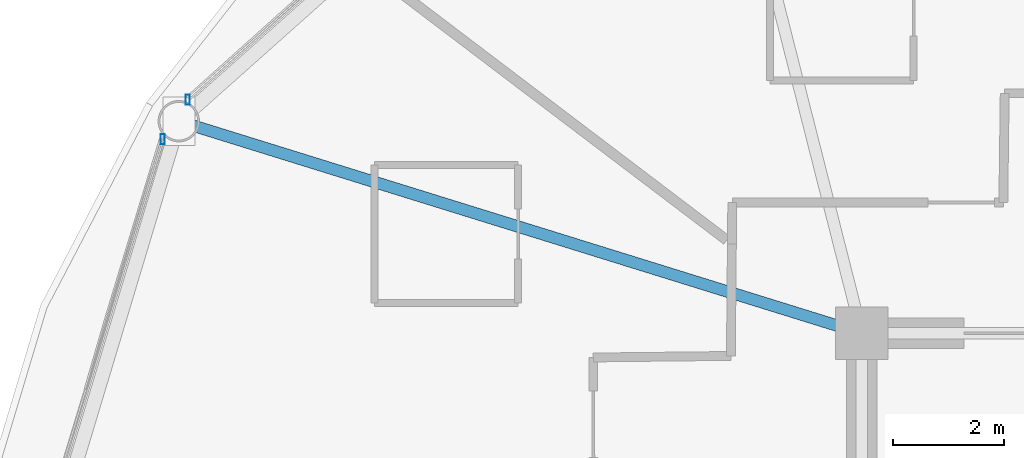
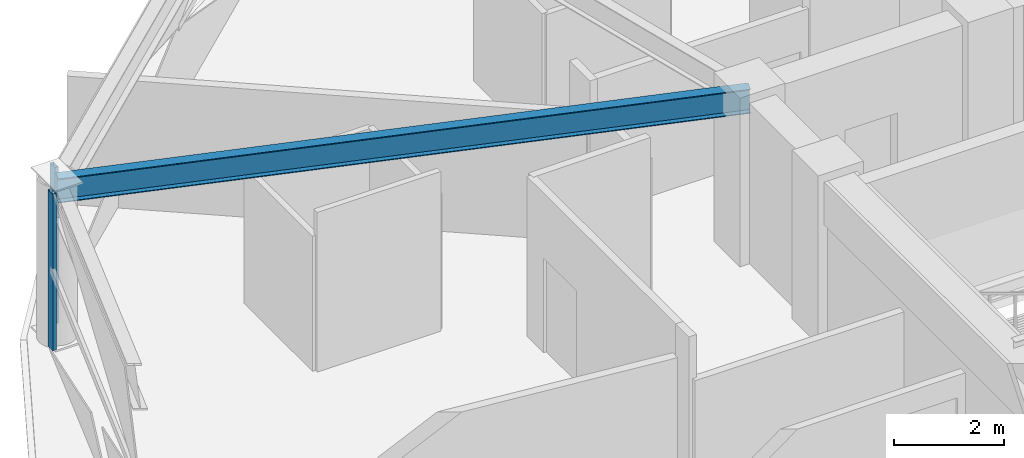
# One storey, part 14 of 31: 2 members, 1 beam, 2 elements without a shape of their own.
"""IFC4 building model written with IfcOpenShell, lengths in metres."""

import ifcopenshell
import ifcopenshell.guid

model = None  # the IFC model being written
_history = None  # IfcOwnerHistory: only IFC2X3 demands one
_inside = {}  # id of a spatial element -> (the spatial element, [elements in it])
_under = {}  # id of a project, library or spatial element -> (it, [spatial elements below it])
_declared = {}  # id of a project -> (the project, [libraries it declares])
_typed = {}  # id of a type object -> (the type object, [elements of that type])
_made_of = {}  # id of a material, layer set ... -> (it, [elements and type objects made of it])


def new_model(schema):
    """Start an empty IFC model of exactly this schema.

    Asked for "IFC4X3", IfcOpenShell would pick the latest addendum, in which some entities
    have other attributes; the version numbers below select the first issue.
    IFC2X3 requires an IfcOwnerHistory on every rooted entity: one is made here for all.
    """
    global model, _history
    if schema == "IFC4X3":
        model = ifcopenshell.file(schema_version=(4, 3, 0, 0))
    else:
        model = ifcopenshell.file(schema=schema)
    _inside.clear()
    _under.clear()
    _declared.clear()
    _typed.clear()
    _made_of.clear()
    _history = None
    if model.schema == "IFC2X3":
        org = make("IfcOrganization", Name="unknown")
        user = make(
            "IfcPersonAndOrganization",
            ThePerson=make("IfcPerson", FamilyName="unknown"),
            TheOrganization=org,
        )
        app = make(
            "IfcApplication",
            ApplicationDeveloper=org,
            Version="unknown",
            ApplicationFullName="unknown",
            ApplicationIdentifier="unknown",
        )
        _history = make(
            "IfcOwnerHistory",
            OwningUser=user,
            OwningApplication=app,
            ChangeAction="ADDED",
            CreationDate=0,
        )
    return model


def make(cls, **values):
    """One entity of the class cls with the attributes given. An attribute that is None is left unset."""
    return model.create_entity(
        cls, **{name: value for name, value in values.items() if value is not None}
    )


def rooted(cls, **values):
    """An entity with a GlobalId (a new one), such as an element, a storey or a relation."""
    return make(cls, GlobalId=ifcopenshell.guid.new(), OwnerHistory=_history, **values)


def si_unit(unit_type, name, prefix=None):
    """IfcSIUnit, for example si_unit("LENGTHUNIT", "METRE", prefix="MILLI")."""
    return make("IfcSIUnit", UnitType=unit_type, Prefix=prefix, Name=name)


def assignment(units):
    """IfcUnitAssignment: the units of a project."""
    return None if units is None else make("IfcUnitAssignment", Units=units)


def point(xyz):
    """IfcCartesianPoint."""
    return None if xyz is None else make("IfcCartesianPoint", Coordinates=xyz)


def direction(xyz):
    """IfcDirection."""
    return None if xyz is None else make("IfcDirection", DirectionRatios=xyz)


def frame(location, z_axis=None, x_axis=None):
    """IfcAxis2Placement3D, a coordinate frame: its origin and axes. An axis left out is left unset."""
    return make(
        "IfcAxis2Placement3D",
        Location=point(location),
        Axis=direction(z_axis),
        RefDirection=direction(x_axis),
    )


def frame_2d(location, x_axis=None):
    """IfcAxis2Placement2D, a coordinate frame in the plane: its origin and x axis."""
    return make(
        "IfcAxis2Placement2D", Location=point(location), RefDirection=direction(x_axis)
    )


def origin():
    """The frame at (0, 0, 0) with its axes left unset."""
    return frame((0.0, 0.0, 0.0))


def origin_2d():
    """The frame at (0, 0) in the plane with its x axis left unset."""
    return frame_2d((0.0, 0.0))


def place(relative_to, where):
    """IfcLocalPlacement: puts the frame where relative to a parent placement (None: the world)."""
    return make(
        "IfcLocalPlacement", PlacementRelTo=relative_to, RelativePlacement=where
    )


def context(
    kind, dimensions, precision=None, world=None, true_north=None, identifier=None
):
    """IfcGeometricRepresentationContext, for example the 3D "Model" context."""
    return make(
        "IfcGeometricRepresentationContext",
        ContextIdentifier=identifier,
        ContextType=kind,
        CoordinateSpaceDimension=dimensions,
        Precision=precision,
        WorldCoordinateSystem=world,
        TrueNorth=true_north,
    )


def subcontext(parent, identifier, kind, view, scale=None):
    """IfcGeometricRepresentationSubContext, for example "Body" below "Model"."""
    return make(
        "IfcGeometricRepresentationSubContext",
        ContextIdentifier=identifier,
        ContextType=kind,
        ParentContext=parent,
        TargetScale=scale,
        TargetView=view,
    )


def project(units=None, contexts=None):
    """IfcProject with its units and contexts."""
    return rooted(
        "IfcProject",
        Name="project",
        RepresentationContexts=contexts,
        UnitsInContext=assignment(units),
    )


def spatial(cls, under=None, at=None, **own):
    """A site, building, storey or space (cls), placed at a placement, below another one or the project."""
    s = rooted(cls, ObjectPlacement=at, **own)
    if under is not None:
        _under.setdefault(under.id(), (under, []))[1].append(s)
    return s


def profile(cls, at=None, kind="AREA", **sizes):
    """A parametric profile (cls). Its sizes go by their IFC names, for example OverallWidth=200.0."""
    return make(cls, ProfileType=kind, Position=at, **sizes)


def hollow_rectangle(**sizes):
    """IfcRectangleHollowProfileDef."""
    return profile("IfcRectangleHollowProfileDef", **sizes)


def i_section(**sizes):
    """IfcIShapeProfileDef."""
    return profile("IfcIShapeProfileDef", **sizes)


def extrude(swept, where, along, depth):
    """IfcExtrudedAreaSolid: the profile swept, set in the frame where, extruded along a direction by depth."""
    return make(
        "IfcExtrudedAreaSolid",
        SweptArea=swept,
        Position=where,
        ExtrudedDirection=direction(along),
        Depth=depth,
    )


def shape(context_of_items, identifier, shape_type, items):
    """IfcShapeRepresentation: the items that make up one representation, for example the "Body"."""
    return make(
        "IfcShapeRepresentation",
        ContextOfItems=context_of_items,
        RepresentationIdentifier=identifier,
        RepresentationType=shape_type,
        Items=items,
    )


def material(Name=None, Category=None):
    """IfcMaterial."""
    return make("IfcMaterial", Name=Name, Category=Category)


def layer(
    of_material, thickness, ventilated=None, Name=None, Category=None, Priority=None
):
    """IfcMaterialLayer: one layer of a wall or slab, of a material (None: an air gap)."""
    return make(
        "IfcMaterialLayer",
        Material=of_material,
        LayerThickness=thickness,
        IsVentilated=ventilated,
        Name=Name,
        Category=Category,
        Priority=Priority,
    )


def layer_set(layers, Name=None):
    """IfcMaterialLayerSet."""
    return make("IfcMaterialLayerSet", MaterialLayers=layers, LayerSetName=Name)


def material_profile(
    of_material, cross_section, Name=None, Category=None, Priority=None
):
    """IfcMaterialProfile: a cross section and its material."""
    return make(
        "IfcMaterialProfile",
        Name=Name,
        Material=of_material,
        Profile=cross_section,
        Priority=Priority,
        Category=Category,
    )


def profile_set(profiles, Name=None, composite=None):
    """IfcMaterialProfileSet."""
    return make(
        "IfcMaterialProfileSet",
        Name=Name,
        MaterialProfiles=profiles,
        CompositeProfile=composite,
    )


def made_of(thing, what):
    """Note that an element or type object is made of a material, layer set ...; save() writes the relation."""
    if what is not None:
        _made_of.setdefault(what.id(), (what, []))[1].append(thing)
    return thing


def type_object(cls, material=None, **own):
    """A type object (cls), such as IfcWallType, which elements share."""
    return made_of(rooted(cls, **own), material)


def element(
    cls,
    number,
    at=None,
    inside=None,
    cuts=None,
    type_object=None,
    material=None,
    context=None,
    identifier="Body",
    shape_type=None,
    held_by="IfcProductDefinitionShape",
    body=None,
    shapes=None,
    **own,
):
    """One element of the class cls, such as IfcWall. Its Tag is "e" and its number.

    at: its placement. inside: the storey or other place that contains it. cuts: it is an
    opening in that element (IfcRelVoidsElement). A single representation is given by context,
    identifier, shape_type and body (its items); several are given by shapes. held_by: the class
    of the entity that holds the representations. save() writes the other relations.
    """
    e = rooted(cls, Tag="e%d" % number, ObjectPlacement=at, **own)
    if body is not None:
        shapes = [shape(context, identifier, shape_type, body)]
    if shapes is not None:
        e.Representation = make(held_by, Representations=shapes)
    if inside is not None:
        _inside.setdefault(inside.id(), (inside, []))[1].append(e)
    if cuts is not None:
        rooted(
            "IfcRelVoidsElement", RelatingBuildingElement=cuts, RelatedOpeningElement=e
        )
    if type_object is not None:
        _typed.setdefault(type_object.id(), (type_object, []))[1].append(e)
    return made_of(e, material)


def aggregate(whole, parts):
    """IfcRelAggregates: a whole, such as a stair, and the parts it consists of."""
    return rooted("IfcRelAggregates", RelatingObject=whole, RelatedObjects=parts)


def save(model, path):
    """Write the relations noted so far, then the file.

    IfcRelAggregates (storeys below a building ...), IfcRelContainedInSpatialStructure (elements
    in a storey), IfcRelDefinesByType, IfcRelAssociatesMaterial and IfcRelDeclares: one each for
    every whole, place, type object, material and project.
    """
    for whole, parts in _under.values():
        aggregate(whole, parts)
    for where, things in _inside.values():
        rooted(
            "IfcRelContainedInSpatialStructure",
            RelatedElements=things,
            RelatingStructure=where,
        )
    for kind, things in _typed.values():
        rooted("IfcRelDefinesByType", RelatedObjects=things, RelatingType=kind)
    for what, things in _made_of.values():
        rooted("IfcRelAssociatesMaterial", RelatedObjects=things, RelatingMaterial=what)
    for by, libraries in _declared.values():
        rooted("IfcRelDeclares", RelatingContext=by, RelatedDefinitions=libraries)
    model.write(path)


model = new_model("IFC4")

# Units and contexts
model_context = context("Model", 3, precision=1e-05, world=origin(), true_north=direction((0.0, 1.0)))
body_context = subcontext(model_context, "Body", "Model", "MODEL_VIEW")
ifc_project = project(units=[si_unit("LENGTHUNIT", "METRE"), si_unit("AREAUNIT", "SQUARE_METRE"), si_unit("VOLUMEUNIT", "CUBIC_METRE"), si_unit("PLANEANGLEUNIT", "RADIAN"), si_unit("MASSUNIT", "GRAM", prefix="KILO")], contexts=[model_context])

# Site, building, storey
site_placement = place(None, origin())
site = spatial("IfcSite", under=ifc_project, at=site_placement, CompositionType="ELEMENT")
building_placement = place(site_placement, origin())
building = spatial("IfcBuilding", under=site, at=building_placement, Name="Vantalir Tower", CompositionType="ELEMENT")
storey_placement = place(building_placement, frame((0.0, 0.0, 123.449951171875)))
storey = spatial("IfcBuildingStorey", under=building, at=storey_placement, Name="L30", CompositionType="ELEMENT", Elevation=123.449951171875)

# Beam
ifc_material_1 = material(Name="Steel S355", Category="steel")
ifc_material_profile_1 = material_profile(ifc_material_1, i_section(OverallWidth=0.2109375, OverallDepth=0.5390625, WebThickness=0.01171875, FlangeThickness=0.018798828125, at=origin_2d()), Name="Steel S355")
ifc_profile_set_1 = profile_set([ifc_material_profile_1], Name="Steel S355")
beam_type = type_object("IfcBeamType", Name="BM-RB-533x210", PredefinedType="BEAM", material=ifc_profile_set_1)
beam_placement = place(storey_placement, frame((9.554931640625, 36.282958984375, 3.300048828125), z_axis=(0.955024490014, -0.296526935493, 0.0), x_axis=(0.296526935493, 0.955024490014, 0.0)))
element("IfcBeam", 1, at=beam_placement, inside=storey, type_object=beam_type, Name="L30 Radial Floor Beam 06", PredefinedType="BEAM", context=body_context, shape_type="SweptSolid", body=[
    extrude(i_section(OverallWidth=0.2109375, OverallDepth=0.5390625, WebThickness=0.01171875, FlangeThickness=0.018798828125, at=origin_2d()), origin(), (0.0, 0.0, 1.0), 12.92626953125),
])

# Curtain wall, member
ifc_material_2 = material(Name="Champagne-silver PVDF aluminium and double-silver Low-E glass", Category="aluminium")
ifc_layer = layer(ifc_material_2, 0.199951171875)
ifc_layer_set = layer_set([ifc_layer], Name="Champagne-silver PVDF aluminium and double-silver Low-E glass")
curtain_wall_type = type_object("IfcCurtainWallType", Name="CW-DIAMOND-Z2", PredefinedType="USERDEFINED", material=ifc_layer_set)
curtain_wall_1_placement = place(storey_placement, origin())
curtain_wall_1 = element("IfcCurtainWall", 2, at=curtain_wall_1_placement, inside=storey, type_object=curtain_wall_type, Name="L30 Quilted Pyramid-Diamond Curtain Wall S05", ObjectType="UNITISED CURTAIN WALL", PredefinedType="USERDEFINED")
ifc_material_3 = material(Name="Champagne-silver PVDF aluminium 6063-T6", Category="aluminium")
ifc_material_profile_2 = material_profile(ifc_material_3, hollow_rectangle(XDim=0.074951171875, YDim=0.179931640625, WallThickness=0.00390625, at=origin_2d()), Name="Champagne-silver PVDF aluminium 6063-T6")
ifc_profile_set_2 = profile_set([ifc_material_profile_2], Name="Champagne-silver PVDF aluminium 6063-T6")
member_type = type_object("IfcMemberType", Name="CWM-180x75", PredefinedType="MULLION", material=ifc_profile_set_2)
member_1_placement = place(storey_placement, frame((9.718017578125, 36.6708984375, 0.045166015625), z_axis=(0.0, 0.0, 1.0), x_axis=(1.0, 0.0, 0.0)))
member_1 = element("IfcMember", 3, at=member_1_placement, type_object=member_type, Name="CW-L30-S05 Mullion 2", PredefinedType="MULLION", context=body_context, shape_type="SweptSolid", body=[
    extrude(hollow_rectangle(XDim=0.074951171875, YDim=0.179931640625, WallThickness=0.00390625, at=origin_2d()), origin(), (0.0, 0.0, 1.0), 3.47998046875),
])
aggregate(curtain_wall_1, [member_1])

curtain_wall_2_placement = place(storey_placement, origin())
curtain_wall_2 = element("IfcCurtainWall", 4, at=curtain_wall_2_placement, inside=storey, type_object=curtain_wall_type, Name="L30 Quilted Pyramid-Diamond Curtain Wall S06", ObjectType="UNITISED CURTAIN WALL", PredefinedType="USERDEFINED")
member_2_placement = place(storey_placement, frame((9.262939453125, 35.95703125, 0.045166015625), z_axis=(0.0, 0.0, 1.0), x_axis=(1.0, 0.0, 0.0)))
member_2 = element("IfcMember", 5, at=member_2_placement, type_object=member_type, Name="CW-L30-S06 Mullion 1", PredefinedType="MULLION", context=body_context, shape_type="SweptSolid", body=[
    extrude(hollow_rectangle(XDim=0.074951171875, YDim=0.179931640625, WallThickness=0.00390625, at=origin_2d()), origin(), (0.0, 0.0, 1.0), 3.47998046875),
])
aggregate(curtain_wall_2, [member_2])

save(model, "model.ifc")
